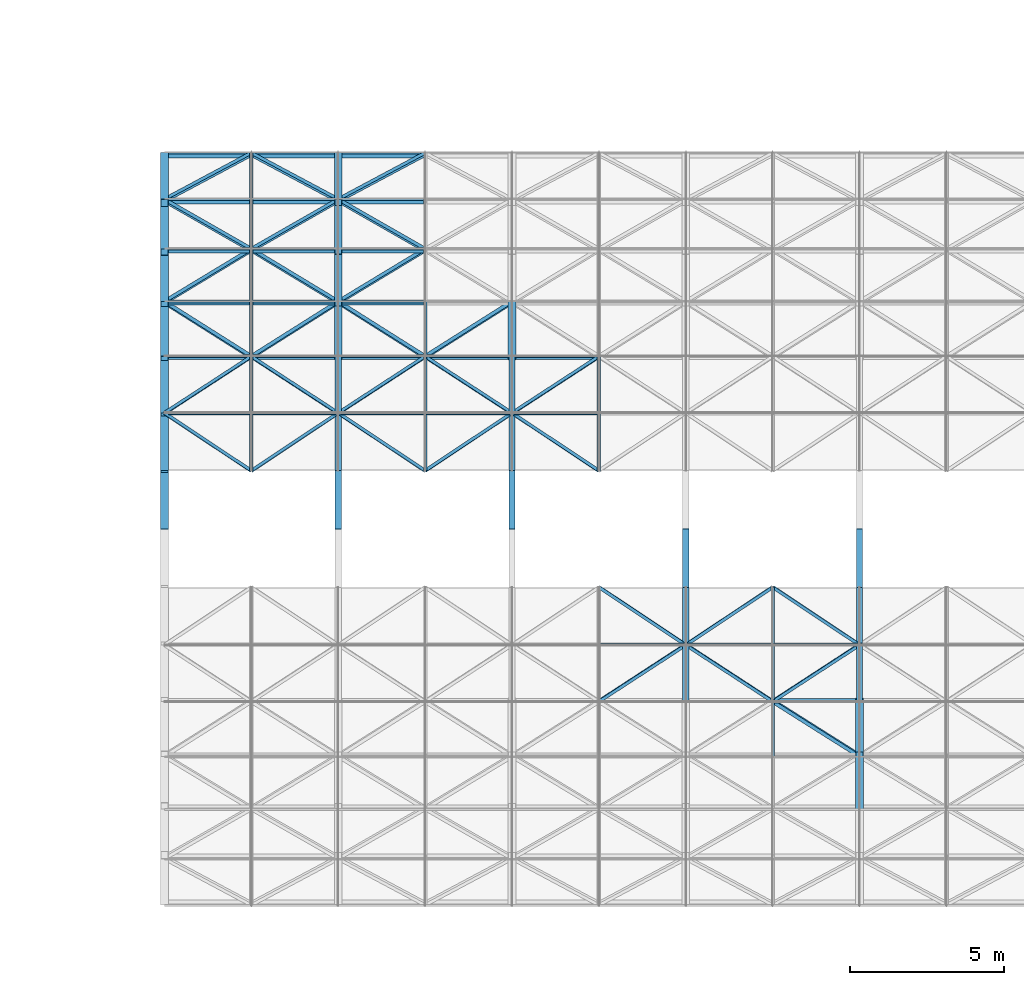
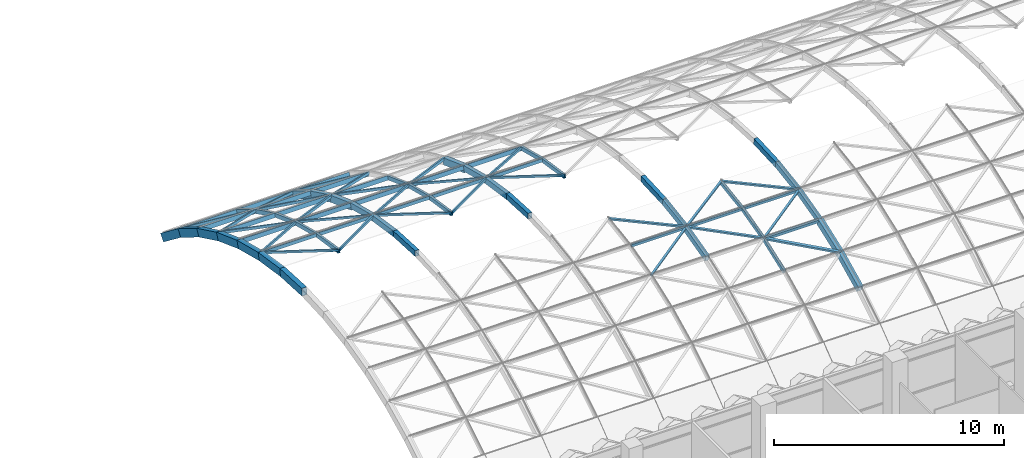
# One storey, part 12 of 85: 96 members.
"""IFC4 building model written with IfcOpenShell, lengths in metres."""

from ifc_helpers import new_model, si_unit, direction, frame, origin, origin_2d, place, context, subcontext, project, spatial, hollow_rectangle, extrude, material, material_profile, profile_set, type_object, element, save


model = new_model("IFC4")

# Units and contexts
model_context = context("Model", 3, precision=1e-05, world=origin(), true_north=direction((0.0, 1.0)))
body_context = subcontext(model_context, "Body", "Model", "MODEL_VIEW")
ifc_project = project(units=[si_unit("LENGTHUNIT", "METRE"), si_unit("AREAUNIT", "SQUARE_METRE"), si_unit("VOLUMEUNIT", "CUBIC_METRE"), si_unit("PLANEANGLEUNIT", "RADIAN"), si_unit("MASSUNIT", "GRAM", prefix="KILO")], contexts=[model_context])

# Site, building, storey
site_placement = place(None, origin())
site = spatial("IfcSite", under=ifc_project, at=site_placement, CompositionType="ELEMENT")
building_placement = place(site_placement, origin())
building = spatial("IfcBuilding", under=site, at=building_placement, Name="Lantern Court Research Institute", CompositionType="ELEMENT")
storey_placement = place(building_placement, frame((0.0, 0.0, 18.89990234375)))
storey = spatial("IfcBuildingStorey", under=building, at=storey_placement, Name="L04", CompositionType="ELEMENT", Elevation=18.89990234375)

# Members
ifc_material_1 = material(Name="Structural steel S355", Category="steel")
ifc_material_profile_1 = material_profile(ifc_material_1, hollow_rectangle(XDim=0.25, YDim=0.39990234375, WallThickness=0.01611328125, at=origin_2d()), Name="Gable arch RHS 400 x 250 x 16")
ifc_profile_set_1 = profile_set([ifc_material_profile_1], Name="Structural steel S355")
member_type_1 = type_object("IfcMemberType", Name="Gable arch RHS 400 x 250 x 16", PredefinedType="RAFTER", material=ifc_profile_set_1)
member_1_placement = place(storey_placement, frame((39.60009765625, 40.114990234375, 4.500244140625), z_axis=(0.0, 0.998733707136, -0.050308868311), x_axis=(-1.0, 0.0, 0.0)))
element("IfcMember", 1, at=member_1_placement, inside=storey, type_object=member_type_1, Name="Gable arch", PredefinedType="RAFTER", context=body_context, shape_type="SweptSolid", body=[
    extrude(hollow_rectangle(XDim=0.25, YDim=0.39990234375, WallThickness=0.01611328125, at=origin_2d()), origin(), (0.0, 0.0, 1.0), 1.90234375),
])
for number, where, z_axis, x_axis, name in (
    (2, (39.60009765625, 41.994873046875, 4.40673828125), (0.0, 0.988606386846, -0.150523791767), (-1.0, 0.0, 0.0), "Gable arch"),
    (3, (39.60009765625, 43.85595703125, 4.124267578125), (0.0, 0.968482319701, -0.249082308538), (-1.0, 0.0, 0.0), "Gable arch"),
    (4, (39.60009765625, 45.67919921875, 3.656494140625), (0.0, 0.938535764551, -0.345182008018), (-1.0, 0.0, 0.0), "Gable arch"),
):
    element("IfcMember", number, at=place(storey_placement, frame(where, z_axis=z_axis, x_axis=x_axis)), inside=storey, type_object=member_type_1, Name=name, PredefinedType="RAFTER", context=body_context, shape_type="SweptSolid", body=[
        extrude(hollow_rectangle(XDim=0.25, YDim=0.39990234375, WallThickness=0.01611328125, at=origin_2d()), origin(), (0.0, 0.0, 1.0), 1.902587890625),
    ])
member_2_placement = place(storey_placement, frame((39.60009765625, 47.4462890625, 3.007568359375), z_axis=(0.0, 0.899099966644, -0.437743360865), x_axis=(-1.0, 0.0, 0.0)))
element("IfcMember", 5, at=member_2_placement, inside=storey, type_object=member_type_1, Name="Gable arch", PredefinedType="RAFTER", context=body_context, shape_type="SweptSolid", body=[
    extrude(hollow_rectangle(XDim=0.25, YDim=0.39990234375, WallThickness=0.01611328125, at=origin_2d()), origin(), (0.0, 0.0, 1.0), 1.90234375),
])
member_3_placement = place(storey_placement, frame((39.60009765625, 49.138916015625, 2.1845703125), z_axis=(0.0, 0.850497510265, -0.525979072809), x_axis=(-1.0, 0.0, 0.0)))
element("IfcMember", 6, at=member_3_placement, inside=storey, type_object=member_type_1, Name="Gable arch", PredefinedType="RAFTER", context=body_context, shape_type="SweptSolid", body=[
    extrude(hollow_rectangle(XDim=0.25, YDim=0.39990234375, WallThickness=0.01611328125, at=origin_2d()), origin(), (0.0, 0.0, 1.0), 1.902587890625),
])
member_4_placement = place(storey_placement, frame((39.60009765625, 50.740478515625, 1.1953125), z_axis=(0.0, 0.793329505358, -0.608792490039), x_axis=(-1.0, 0.0, 0.0)))
element("IfcMember", 7, at=member_4_placement, inside=storey, type_object=member_type_1, Name="Gable arch", PredefinedType="RAFTER", context=body_context, shape_type="SweptSolid", body=[
    extrude(hollow_rectangle(XDim=0.25, YDim=0.39990234375, WallThickness=0.01611328125, at=origin_2d()), origin(), (0.0, 0.0, 1.0), 1.90234375),
])
ifc_material_2 = material(Name="Structural steel S355", Category="steel")
ifc_material_profile_2 = material_profile(ifc_material_2, hollow_rectangle(XDim=0.080078125, YDim=0.159912109375, WallThickness=0.00634765625, at=origin_2d()), Name="Gridshell crown purlin RHS 160 x 80 x 6.3")
ifc_profile_set_2 = profile_set([ifc_material_profile_2], Name="Structural steel S355")
member_type_2 = type_object("IfcMemberType", Name="Gridshell crown purlin RHS 160 x 80 x 6.3", PredefinedType="PURLIN", material=ifc_profile_set_2)
member_5_placement = place(storey_placement, frame((53.802978515625, 36.360107421875, 4.23974609375), z_axis=(1.0, 0.0, 0.0), x_axis=(0.0, 0.979787176632, 0.200042716708)))
element("IfcMember", 8, at=member_5_placement, inside=storey, type_object=member_type_2, Name="Gridshell purlin", PredefinedType="PURLIN", context=body_context, shape_type="SweptSolid", body=[
    extrude(hollow_rectangle(XDim=0.080078125, YDim=0.159912109375, WallThickness=0.00634765625, at=origin_2d()), origin(), (0.0, 0.0, 1.0), 2.66845703125),
])
for number, where, z_axis, x_axis, name in (
    (9, (56.67138671875, 36.360107421875, 4.23974609375), (1.0, 0.0, 0.0), (0.0, 0.979787176632, 0.200042716708), "Gridshell purlin"),
    (10, (59.4599609375, 36.360107421875, 4.23974609375), (1.0, 0.0, 0.0), (0.0, 0.979787176632, 0.200042716708), "Gridshell purlin"),
):
    element("IfcMember", number, at=place(storey_placement, frame(where, z_axis=z_axis, x_axis=x_axis)), inside=storey, type_object=member_type_2, Name=name, PredefinedType="PURLIN", context=body_context, shape_type="SweptSolid", body=[
        extrude(hollow_rectangle(XDim=0.080078125, YDim=0.159912109375, WallThickness=0.00634765625, at=origin_2d()), origin(), (0.0, 0.0, 1.0), 2.668701171875),
    ])
member_6_placement = place(storey_placement, frame((39.72509765625, 43.889892578125, 4.23974609375), z_axis=(1.0, 0.0, 0.0), x_axis=(0.0, 0.979787176632, -0.200042716708)))
element("IfcMember", 11, at=member_6_placement, inside=storey, type_object=member_type_2, Name="Gridshell purlin", PredefinedType="PURLIN", context=body_context, shape_type="SweptSolid", body=[
    extrude(hollow_rectangle(XDim=0.080078125, YDim=0.159912109375, WallThickness=0.00634765625, at=origin_2d()), origin(), (0.0, 0.0, 1.0), 2.6435546875),
])
member_7_placement = place(storey_placement, frame((42.488525390625, 43.889892578125, 4.23974609375), z_axis=(1.0, 0.0, 0.0), x_axis=(0.0, 0.979787176632, -0.200042716708)))
element("IfcMember", 12, at=member_7_placement, inside=storey, type_object=member_type_2, Name="Gridshell purlin", PredefinedType="PURLIN", context=body_context, shape_type="SweptSolid", body=[
    extrude(hollow_rectangle(XDim=0.080078125, YDim=0.159912109375, WallThickness=0.00634765625, at=origin_2d()), origin(), (0.0, 0.0, 1.0), 2.668701171875),
])
for number, where, z_axis, x_axis, name in (
    (13, (45.357177734375, 43.889892578125, 4.23974609375), (1.0, 0.0, 0.0), (0.0, 0.979787176632, -0.200042716708), "Gridshell purlin"),
    (14, (48.145751953125, 43.889892578125, 4.23974609375), (1.0, 0.0, 0.0), (0.0, 0.979787176632, -0.200042716708), "Gridshell purlin"),
    (15, (51.014404296875, 43.889892578125, 4.23974609375), (1.0, 0.0, 0.0), (0.0, 0.979787176632, -0.200042716708), "Gridshell purlin"),
):
    element("IfcMember", number, at=place(storey_placement, frame(where, z_axis=z_axis, x_axis=x_axis)), inside=storey, type_object=member_type_2, Name=name, PredefinedType="PURLIN", context=body_context, shape_type="SweptSolid", body=[
        extrude(hollow_rectangle(XDim=0.080078125, YDim=0.159912109375, WallThickness=0.00634765625, at=origin_2d()), origin(), (0.0, 0.0, 1.0), 2.66845703125),
    ])
ifc_material_3 = material(Name="Structural steel S355", Category="steel")
ifc_material_profile_3 = material_profile(ifc_material_3, hollow_rectangle(XDim=0.199951171875, YDim=0.300048828125, WallThickness=0.012451171875, at=origin_2d()), Name="Gridshell crown rib RHS 300 x 200 x 12.5")
ifc_profile_set_3 = profile_set([ifc_material_profile_3], Name="Structural steel S355")
member_type_3 = type_object("IfcMemberType", Name="Gridshell crown rib RHS 300 x 200 x 12.5", PredefinedType="RAFTER", material=ifc_profile_set_3)
for number, where, z_axis, x_axis, name in (
    (16, (45.257080078125, 40.117431640625, 4.55029296875), (0.0, 0.998734031897, -0.050302420725), (-1.0, 0.0, 0.0), "Gridshell rib"),
    (17, (45.257080078125, 42.00244140625, 4.4560546875), (0.0, 0.988606386846, -0.150523791767), (-1.0, 0.0, 0.0), "Gridshell rib"),
    (18, (45.257080078125, 43.868408203125, 4.1728515625), (0.0, 0.968482319701, -0.249082308538), (-1.0, 0.0, 0.0), "Gridshell rib"),
    (19, (50.914306640625, 40.117431640625, 4.55029296875), (0.0, 0.998734031897, -0.050302420725), (-1.0, 0.0, 0.0), "Gridshell rib"),
    (20, (50.914306640625, 42.00244140625, 4.4560546875), (0.0, 0.988606386846, -0.150523791767), (-1.0, 0.0, 0.0), "Gridshell rib"),
    (21, (50.914306640625, 43.868408203125, 4.1728515625), (0.0, 0.968482319701, -0.249082308538), (-1.0, 0.0, 0.0), "Gridshell rib"),
    (22, (56.571533203125, 34.5390625, 3.698974609375), (0.0, 0.968482319701, 0.249082308538), (-1.0, 0.0, 0.0), "Gridshell rib"),
    (23, (56.571533203125, 36.36669921875, 4.169677734375), (0.0, 0.988606386846, 0.150523791767), (-1.0, 0.0, 0.0), "Gridshell rib"),
    (24, (56.571533203125, 38.232421875, 4.45458984375), (0.0, 0.998734031897, 0.050302420725), (-1.0, 0.0, 0.0), "Gridshell rib"),
    (25, (62.228515625, 34.5390625, 3.698974609375), (0.0, 0.968482319701, 0.249082308538), (-1.0, 0.0, 0.0), "Gridshell rib"),
    (26, (62.228515625, 36.36669921875, 4.169677734375), (0.0, 0.988606386846, 0.150523791767), (-1.0, 0.0, 0.0), "Gridshell rib"),
    (27, (62.228515625, 38.232421875, 4.45458984375), (0.0, 0.998734031897, 0.050302420725), (-1.0, 0.0, 0.0), "Gridshell rib"),
):
    element("IfcMember", number, at=place(storey_placement, frame(where, z_axis=z_axis, x_axis=x_axis)), inside=storey, type_object=member_type_3, Name=name, PredefinedType="RAFTER", context=body_context, shape_type="SweptSolid", body=[
        extrude(hollow_rectangle(XDim=0.199951171875, YDim=0.300048828125, WallThickness=0.012451171875, at=origin_2d()), origin(), (0.0, 0.0, 1.0), 1.902587890625),
    ])
ifc_material_4 = material(Name="Structural steel S355", Category="steel")
ifc_material_profile_4 = material_profile(ifc_material_4, hollow_rectangle(XDim=0.10009765625, YDim=0.10009765625, WallThickness=0.00634765625, at=origin_2d()), Name="Gridshell diagonal RHS 100 x 100 x 6.3")
ifc_profile_set_4 = profile_set([ifc_material_profile_4], Name="Structural steel S355")
member_type_4 = type_object("IfcMemberType", Name="Gridshell diagonal RHS 100 x 100 x 6.3", PredefinedType="BRACE", material=ifc_profile_set_4)
for number, where, z_axis, x_axis, name in (
    (28, (42.428466796875, 42.017578125, 4.554931640625), (-0.829780025572, 0.551730300991, -0.084016570565), (-0.558090591389, -0.820331795055, 0.124862475647), "Gridshell diagonal"),
    (29, (39.60009765625, 43.893310546875, 4.26953125), (0.829753310349, 0.540539338213, -0.139020386309), (-0.558130310777, 0.803595810166, -0.20669864556), "Gridshell diagonal"),
    (30, (42.428466796875, 42.017578125, 4.554931640625), (0.82980233239, 0.551697511341, -0.084011577412), (-0.558057423637, 0.82035435083, -0.124862528398), "Gridshell diagonal"),
):
    element("IfcMember", number, at=place(storey_placement, frame(where, z_axis=z_axis, x_axis=x_axis)), inside=storey, type_object=member_type_4, Name=name, PredefinedType="BRACE", context=body_context, shape_type="SweptSolid", body=[
        extrude(hollow_rectangle(XDim=0.10009765625, YDim=0.10009765625, WallThickness=0.00634765625, at=origin_2d()), origin(), (0.0, 0.0, 1.0), 3.40869140625),
    ])
member_8_placement = place(storey_placement, frame((45.257080078125, 43.893310546875, 4.26953125), z_axis=(-0.829775619624, 0.540507215717, -0.139012124779), x_axis=(-0.558097142967, -0.803618783295, 0.206698887629)))
element("IfcMember", 31, at=member_8_placement, inside=storey, type_object=member_type_4, Name="Gridshell diagonal", PredefinedType="BRACE", context=body_context, shape_type="SweptSolid", body=[
    extrude(hollow_rectangle(XDim=0.10009765625, YDim=0.10009765625, WallThickness=0.00634765625, at=origin_2d()), origin(), (0.0, 0.0, 1.0), 3.408935546875),
])
member_9_placement = place(storey_placement, frame((48.085693359375, 42.017578125, 4.554931640625), z_axis=(-0.82980233239, 0.551697511341, -0.084011577412), x_axis=(-0.558057423637, -0.82035435083, 0.124862528398)))
element("IfcMember", 32, at=member_9_placement, inside=storey, type_object=member_type_4, Name="Gridshell diagonal", PredefinedType="BRACE", context=body_context, shape_type="SweptSolid", body=[
    extrude(hollow_rectangle(XDim=0.10009765625, YDim=0.10009765625, WallThickness=0.00634765625, at=origin_2d()), origin(), (0.0, 0.0, 1.0), 3.40869140625),
])
member_10_placement = place(storey_placement, frame((45.257080078125, 43.893310546875, 4.26953125), z_axis=(0.829775619624, 0.540507215717, -0.139012124779), x_axis=(-0.558097142967, 0.803618783295, -0.206698887629)))
element("IfcMember", 33, at=member_10_placement, inside=storey, type_object=member_type_4, Name="Gridshell diagonal", PredefinedType="BRACE", context=body_context, shape_type="SweptSolid", body=[
    extrude(hollow_rectangle(XDim=0.10009765625, YDim=0.10009765625, WallThickness=0.00634765625, at=origin_2d()), origin(), (0.0, 0.0, 1.0), 3.408935546875),
])
member_11_placement = place(storey_placement, frame((48.085693359375, 42.017578125, 4.554931640625), z_axis=(0.82980233239, 0.551697511341, -0.084011577412), x_axis=(-0.558057423637, 0.82035435083, -0.124862528398)))
element("IfcMember", 34, at=member_11_placement, inside=storey, type_object=member_type_4, Name="Gridshell diagonal", PredefinedType="BRACE", context=body_context, shape_type="SweptSolid", body=[
    extrude(hollow_rectangle(XDim=0.10009765625, YDim=0.10009765625, WallThickness=0.00634765625, at=origin_2d()), origin(), (0.0, 0.0, 1.0), 3.40869140625),
])
member_12_placement = place(storey_placement, frame((50.914306640625, 43.893310546875, 4.26953125), z_axis=(-0.829775619624, 0.540507215717, -0.139012124779), x_axis=(-0.558097142967, -0.803618783295, 0.206698887629)))
element("IfcMember", 35, at=member_12_placement, inside=storey, type_object=member_type_4, Name="Gridshell diagonal", PredefinedType="BRACE", context=body_context, shape_type="SweptSolid", body=[
    extrude(hollow_rectangle(XDim=0.10009765625, YDim=0.10009765625, WallThickness=0.00634765625, at=origin_2d()), origin(), (0.0, 0.0, 1.0), 3.408935546875),
])
member_13_placement = place(storey_placement, frame((53.742919921875, 42.017578125, 4.554931640625), z_axis=(-0.82980233239, 0.551697511341, -0.084011577412), x_axis=(-0.558057423637, -0.82035435083, 0.124862528398)))
element("IfcMember", 36, at=member_13_placement, inside=storey, type_object=member_type_4, Name="Gridshell diagonal", PredefinedType="BRACE", context=body_context, shape_type="SweptSolid", body=[
    extrude(hollow_rectangle(XDim=0.10009765625, YDim=0.10009765625, WallThickness=0.00634765625, at=origin_2d()), origin(), (0.0, 0.0, 1.0), 3.40869140625),
])
for number, where, z_axis, x_axis, name in (
    (37, (50.914306640625, 43.893310546875, 4.26953125), (0.829775619624, 0.540507215717, -0.139012124779), (-0.558097142967, 0.803618783295, -0.206698887629), "Gridshell diagonal"),
    (38, (53.742919921875, 34.51416015625, 3.795654296875), (0.829775619624, 0.540507215717, 0.139012124779), (-0.558097142967, 0.803618783295, 0.206698887629), "Gridshell diagonal"),
):
    element("IfcMember", number, at=place(storey_placement, frame(where, z_axis=z_axis, x_axis=x_axis)), inside=storey, type_object=member_type_4, Name=name, PredefinedType="BRACE", context=body_context, shape_type="SweptSolid", body=[
        extrude(hollow_rectangle(XDim=0.10009765625, YDim=0.10009765625, WallThickness=0.00634765625, at=origin_2d()), origin(), (0.0, 0.0, 1.0), 3.408935546875),
    ])
for number, where, z_axis, x_axis, name in (
    (39, (56.571533203125, 36.351806640625, 4.2685546875), (-0.82980233239, 0.551697511341, 0.084011577412), (-0.558057423637, -0.82035435083, -0.124862528398), "Gridshell diagonal"),
    (40, (59.39990234375, 34.51416015625, 3.795654296875), (-0.829753310349, 0.540539338213, 0.139020386309), (-0.558130310777, -0.803595810166, -0.20669864556), "Gridshell diagonal"),
    (41, (56.571533203125, 36.351806640625, 4.2685546875), (0.829780025572, 0.551730300991, 0.084016570565), (-0.558090591389, 0.820331795055, 0.124862475647), "Gridshell diagonal"),
):
    element("IfcMember", number, at=place(storey_placement, frame(where, z_axis=z_axis, x_axis=x_axis)), inside=storey, type_object=member_type_4, Name=name, PredefinedType="BRACE", context=body_context, shape_type="SweptSolid", body=[
        extrude(hollow_rectangle(XDim=0.10009765625, YDim=0.10009765625, WallThickness=0.00634765625, at=origin_2d()), origin(), (0.0, 0.0, 1.0), 3.40869140625),
    ])
member_14_placement = place(storey_placement, frame((59.39990234375, 34.51416015625, 3.795654296875), z_axis=(0.829775619624, 0.540507215717, 0.139012124779), x_axis=(-0.558097142967, 0.803618783295, 0.206698887629)))
element("IfcMember", 42, at=member_14_placement, inside=storey, type_object=member_type_4, Name="Gridshell diagonal", PredefinedType="BRACE", context=body_context, shape_type="SweptSolid", body=[
    extrude(hollow_rectangle(XDim=0.10009765625, YDim=0.10009765625, WallThickness=0.00634765625, at=origin_2d()), origin(), (0.0, 0.0, 1.0), 3.408935546875),
])
member_15_placement = place(storey_placement, frame((62.228515625, 36.351806640625, 4.2685546875), z_axis=(-0.82980233239, 0.551697511341, 0.084011577412), x_axis=(-0.558057423637, -0.82035435083, -0.124862528398)))
element("IfcMember", 43, at=member_15_placement, inside=storey, type_object=member_type_4, Name="Gridshell diagonal", PredefinedType="BRACE", context=body_context, shape_type="SweptSolid", body=[
    extrude(hollow_rectangle(XDim=0.10009765625, YDim=0.10009765625, WallThickness=0.00634765625, at=origin_2d()), origin(), (0.0, 0.0, 1.0), 3.40869140625),
])
ifc_material_5 = material(Name="Structural steel S355", Category="steel")
ifc_material_profile_5 = material_profile(ifc_material_5, hollow_rectangle(XDim=0.1201171875, YDim=0.1201171875, WallThickness=0.008056640625, at=origin_2d()), Name="Gridshell haunch diagonal RHS 120 x 120 x 8")
ifc_profile_set_5 = profile_set([ifc_material_profile_5], Name="Structural steel S355")
member_type_5 = type_object("IfcMemberType", Name="Gridshell haunch diagonal RHS 120 x 120 x 8", PredefinedType="BRACE", material=ifc_profile_set_5)
for number, where, z_axis, x_axis, name in (
    (44, (42.428466796875, 45.7275390625, 3.787841796875), (-0.829740528308, 0.523843092278, -0.19266310066), (-0.558149312823, -0.778730842923, 0.28643955536), "Gridshell diagonal"),
    (45, (39.60009765625, 47.507568359375, 3.133544921875), (0.829750990554, 0.50178985238, -0.244377244693), (-0.558133759376, 0.746001196046, -0.363275270481), "Gridshell diagonal"),
    (46, (42.428466796875, 49.212646484375, 2.303466796875), (-0.829754804392, 0.474718588132, -0.293511885058), (-0.55812808698, -0.705699457062, 0.436441651113), "Gridshell diagonal"),
    (47, (39.60009765625, 50.82568359375, 1.306396484375), (0.829757630752, 0.442776147891, -0.339781631445), (-0.558123887656, 0.658254466927, -0.505172032874), "Gridshell diagonal"),
):
    element("IfcMember", number, at=place(storey_placement, frame(where, z_axis=z_axis, x_axis=x_axis)), inside=storey, type_object=member_type_5, Name=name, PredefinedType="BRACE", context=body_context, shape_type="SweptSolid", body=[
        extrude(hollow_rectangle(XDim=0.1201171875, YDim=0.1201171875, WallThickness=0.008056640625, at=origin_2d()), origin(), (0.0, 0.0, 1.0), 3.40869140625),
    ])
for number, where, z_axis, x_axis, name in (
    (48, (42.428466796875, 45.7275390625, 3.787841796875), (0.829762838758, 0.523811962945, -0.192651651671), (-0.558116144955, 0.778754373318, -0.286440211525), "Gridshell diagonal"),
    (49, (45.257080078125, 47.507568359375, 3.133544921875), (-0.829773300042, 0.501760032806, -0.244362722229), (-0.558100591295, -0.746025342522, 0.363276641571), "Gridshell diagonal"),
    (50, (42.428466796875, 49.212646484375, 2.303466796875), (0.82977711353, 0.474690377048, -0.293494442538), (-0.558094919699, 0.705724175305, -0.436444096072), "Gridshell diagonal"),
    (51, (45.257080078125, 50.82568359375, 1.306396484375), (-0.82977993963, 0.442749834869, -0.339761439117), (-0.558090719968, -0.658279580966, 0.505175951099), "Gridshell diagonal"),
    (52, (48.085693359375, 45.7275390625, 3.787841796875), (-0.829762838758, 0.523811962945, -0.192651651671), (-0.558116144955, -0.778754373318, 0.286440211525), "Gridshell diagonal"),
    (53, (45.257080078125, 47.507568359375, 3.133544921875), (0.829773300042, 0.501760032806, -0.244362722229), (-0.558100591295, 0.746025342522, -0.363276641571), "Gridshell diagonal"),
    (54, (48.085693359375, 49.212646484375, 2.303466796875), (-0.82977711353, 0.474690377048, -0.293494442538), (-0.558094919699, -0.705724175305, 0.436444096072), "Gridshell diagonal"),
    (55, (45.257080078125, 50.82568359375, 1.306396484375), (0.82977993963, 0.442749834869, -0.339761439117), (-0.558090719968, 0.658279580966, -0.505175951099), "Gridshell diagonal"),
    (56, (48.085693359375, 45.7275390625, 3.787841796875), (0.829762838758, 0.523811962945, -0.192651651671), (-0.558116144955, 0.778754373318, -0.286440211525), "Gridshell diagonal"),
    (57, (62.228515625, 32.73681640625, 3.131103515625), (-0.829762838758, 0.523811962945, 0.192651651671), (-0.558116144955, -0.778754373318, -0.286440211525), "Gridshell diagonal"),
):
    element("IfcMember", number, at=place(storey_placement, frame(where, z_axis=z_axis, x_axis=x_axis)), inside=storey, type_object=member_type_5, Name=name, PredefinedType="BRACE", context=body_context, shape_type="SweptSolid", body=[
        extrude(hollow_rectangle(XDim=0.1201171875, YDim=0.1201171875, WallThickness=0.008056640625, at=origin_2d()), origin(), (0.0, 0.0, 1.0), 3.408935546875),
    ])
ifc_material_6 = material(Name="Structural steel S355", Category="steel")
ifc_material_profile_6 = material_profile(ifc_material_6, hollow_rectangle(XDim=0.25, YDim=0.35009765625, WallThickness=0.01611328125, at=origin_2d()), Name="Gridshell haunch rib RHS 350 x 250 x 16")
ifc_profile_set_6 = profile_set([ifc_material_profile_6], Name="Structural steel S355")
member_type_6 = type_object("IfcMemberType", Name="Gridshell haunch rib RHS 350 x 250 x 16", PredefinedType="RAFTER", material=ifc_profile_set_6)
for number, where, z_axis, x_axis, name in (
    (58, (45.257080078125, 45.68798828125, 3.679931640625), (0.0, 0.938520472327, -0.345223584105), (-1.0, 0.0, 0.0), "Gridshell rib"),
    (59, (45.257080078125, 47.457275390625, 3.030029296875), (0.0, 0.899099966644, -0.437743360865), (-1.0, 0.0, 0.0), "Gridshell rib"),
):
    element("IfcMember", number, at=place(storey_placement, frame(where, z_axis=z_axis, x_axis=x_axis)), inside=storey, type_object=member_type_6, Name=name, PredefinedType="RAFTER", context=body_context, shape_type="SweptSolid", body=[
        extrude(hollow_rectangle(XDim=0.25, YDim=0.35009765625, WallThickness=0.01611328125, at=origin_2d()), origin(), (0.0, 0.0, 1.0), 1.90234375),
    ])
member_16_placement = place(storey_placement, frame((45.257080078125, 49.152099609375, 2.205810546875), z_axis=(0.0, 0.850497510265, -0.525979072809), x_axis=(-1.0, 0.0, 0.0)))
element("IfcMember", 60, at=member_16_placement, inside=storey, type_object=member_type_6, Name="Gridshell rib", PredefinedType="RAFTER", context=body_context, shape_type="SweptSolid", body=[
    extrude(hollow_rectangle(XDim=0.25, YDim=0.35009765625, WallThickness=0.01611328125, at=origin_2d()), origin(), (0.0, 0.0, 1.0), 1.902587890625),
])
for number, where, z_axis, x_axis, name in (
    (61, (45.257080078125, 50.755615234375, 1.215087890625), (0.0, 0.793329505358, -0.608792490039), (-1.0, 0.0, 0.0), "Gridshell rib"),
    (62, (50.914306640625, 45.68798828125, 3.679931640625), (0.0, 0.938520472327, -0.345223584105), (-1.0, 0.0, 0.0), "Gridshell rib"),
    (63, (62.228515625, 31.082275390625, 2.197265625), (0.0, 0.899099966644, 0.437743360865), (-1.0, 0.0, 0.0), "Gridshell rib"),
    (64, (62.228515625, 32.776611328125, 3.023193359375), (0.0, 0.938520472327, 0.345223584105), (-1.0, 0.0, 0.0), "Gridshell rib"),
):
    element("IfcMember", number, at=place(storey_placement, frame(where, z_axis=z_axis, x_axis=x_axis)), inside=storey, type_object=member_type_6, Name=name, PredefinedType="RAFTER", context=body_context, shape_type="SweptSolid", body=[
        extrude(hollow_rectangle(XDim=0.25, YDim=0.35009765625, WallThickness=0.01611328125, at=origin_2d()), origin(), (0.0, 0.0, 1.0), 1.90234375),
    ])
ifc_material_7 = material(Name="Structural steel S355", Category="steel")
ifc_material_profile_7 = material_profile(ifc_material_7, hollow_rectangle(XDim=0.10009765625, YDim=0.199951171875, WallThickness=0.008056640625, at=origin_2d()), Name="Gridshell purlin RHS 200 x 100 x 8")
ifc_profile_set_7 = profile_set([ifc_material_profile_7], Name="Structural steel S355")
member_type_7 = type_object("IfcMemberType", Name="Gridshell purlin RHS 200 x 100 x 8", PredefinedType="PURLIN", material=ifc_profile_set_7)
for number, where, z_axis, x_axis, name in (
    (65, (59.4599609375, 34.531494140625, 3.748779296875), (1.0, 0.0, 0.0), (0.0, 0.954713115517, 0.29752792652), "Gridshell purlin"),
    (66, (39.72509765625, 45.718505859375, 3.748779296875), (1.0, 0.0, 0.0), (0.0, 0.954713115517, -0.29752792652), "Gridshell purlin"),
    (67, (42.488525390625, 45.718505859375, 3.748779296875), (1.0, 0.0, 0.0), (0.0, 0.954713115517, -0.29752792652), "Gridshell purlin"),
    (68, (45.382080078125, 45.718505859375, 3.748779296875), (1.0, 0.0, 0.0), (0.0, 0.954713115517, -0.29752792652), "Gridshell purlin"),
    (69, (48.145751953125, 45.718505859375, 3.748779296875), (1.0, 0.0, 0.0), (0.0, 0.954713115517, -0.29752792652), "Gridshell purlin"),
    (70, (51.039306640625, 45.718505859375, 3.748779296875), (1.0, 0.0, 0.0), (0.0, 0.954713115517, -0.29752792652), "Gridshell purlin"),
    (71, (39.72509765625, 47.49462890625, 3.095458984375), (1.0, 0.0, 0.0), (0.0, 0.919965822984, -0.391998577219), "Gridshell purlin"),
    (72, (42.488525390625, 47.49462890625, 3.095458984375), (1.0, 0.0, 0.0), (0.0, 0.919965822984, -0.391998577219), "Gridshell purlin"),
    (73, (45.382080078125, 47.49462890625, 3.095458984375), (1.0, 0.0, 0.0), (0.0, 0.919965822984, -0.391998577219), "Gridshell purlin"),
    (74, (39.72509765625, 49.196044921875, 2.266845703125), (1.0, 0.0, 0.0), (0.0, 0.875897373228, -0.482497452399), "Gridshell purlin"),
    (75, (42.488525390625, 49.196044921875, 2.266845703125), (1.0, 0.0, 0.0), (0.0, 0.875897373228, -0.482497452399), "Gridshell purlin"),
    (76, (45.382080078125, 49.196044921875, 2.266845703125), (1.0, 0.0, 0.0), (0.0, 0.875897373228, -0.482497452399), "Gridshell purlin"),
    (77, (39.72509765625, 50.805419921875, 1.271728515625), (1.0, 0.0, 0.0), (0.0, 0.822954255966, -0.568107641726), "Gridshell purlin"),
    (78, (42.488525390625, 50.805419921875, 1.271728515625), (1.0, 0.0, 0.0), (0.0, 0.822954255966, -0.568107641726), "Gridshell purlin"),
    (79, (45.382080078125, 50.805419921875, 1.271728515625), (1.0, 0.0, 0.0), (0.0, 0.822954255966, -0.568107641726), "Gridshell purlin"),
    (80, (39.72509765625, 52.306640625, 0.11962890625), (1.0, 0.0, 0.0), (0.0, 0.761672913152, -0.647961706717), "Gridshell purlin"),
    (81, (42.488525390625, 52.306640625, 0.11962890625), (1.0, 0.0, 0.0), (0.0, 0.761672913152, -0.647961706717), "Gridshell purlin"),
    (82, (45.382080078125, 52.306640625, 0.11962890625), (1.0, 0.0, 0.0), (0.0, 0.761672913152, -0.647961706717), "Gridshell purlin"),
):
    element("IfcMember", number, at=place(storey_placement, frame(where, z_axis=z_axis, x_axis=x_axis)), inside=storey, type_object=member_type_7, Name=name, PredefinedType="PURLIN", context=body_context, shape_type="SweptSolid", body=[
        extrude(hollow_rectangle(XDim=0.10009765625, YDim=0.199951171875, WallThickness=0.008056640625, at=origin_2d()), origin(), (0.0, 0.0, 1.0), 2.6435546875),
    ])
ifc_material_8 = material(Name="Structural steel S355", Category="steel")
ifc_material_profile_8 = material_profile(ifc_material_8, hollow_rectangle(XDim=0.1201171875, YDim=0.199951171875, WallThickness=0.008056640625, at=origin_2d()), Name="Gridshell secondary rib RHS 200 x 120 x 8")
ifc_profile_set_8 = profile_set([ifc_material_profile_8], Name="Structural steel S355")
member_type_8 = type_object("IfcMemberType", Name="Gridshell secondary rib RHS 200 x 120 x 8", PredefinedType="RAFTER", material=ifc_profile_set_8)
for number, where, z_axis, x_axis, name in (
    (83, (42.428466796875, 42.010009765625, 4.50537109375), (0.0, 0.988625474964, -0.15039837184), (-1.0, 0.0, 0.0), "Gridshell secondary rib"),
    (84, (42.428466796875, 43.880859375, 4.22119140625), (0.0, 0.968482319701, -0.249082308538), (-1.0, 0.0, 0.0), "Gridshell secondary rib"),
):
    element("IfcMember", number, at=place(storey_placement, frame(where, z_axis=z_axis, x_axis=x_axis)), inside=storey, type_object=member_type_8, Name=name, PredefinedType="RAFTER", context=body_context, shape_type="SweptSolid", body=[
        extrude(hollow_rectangle(XDim=0.1201171875, YDim=0.199951171875, WallThickness=0.008056640625, at=origin_2d()), origin(), (0.0, 0.0, 1.0), 1.902587890625),
    ])
member_17_placement = place(storey_placement, frame((42.428466796875, 45.7138671875, 3.750244140625), z_axis=(0.0, 0.938520472327, -0.345223584105), x_axis=(-1.0, 0.0, 0.0)))
element("IfcMember", 85, at=member_17_placement, inside=storey, type_object=member_type_8, Name="Gridshell secondary rib", PredefinedType="RAFTER", context=body_context, shape_type="SweptSolid", body=[
    extrude(hollow_rectangle(XDim=0.1201171875, YDim=0.199951171875, WallThickness=0.008056640625, at=origin_2d()), origin(), (0.0, 0.0, 1.0), 1.90234375),
])
member_18_placement = place(storey_placement, frame((42.428466796875, 47.489990234375, 3.09765625), z_axis=(0.0, 0.899049454889, -0.437847093931), x_axis=(-1.0, 0.0, 0.0)))
element("IfcMember", 86, at=member_18_placement, inside=storey, type_object=member_type_8, Name="Gridshell secondary rib", PredefinedType="RAFTER", context=body_context, shape_type="SweptSolid", body=[
    extrude(hollow_rectangle(XDim=0.1201171875, YDim=0.199951171875, WallThickness=0.008056640625, at=origin_2d()), origin(), (0.0, 0.0, 1.0), 1.902587890625),
])
for number, where, z_axis, x_axis, name in (
    (87, (42.428466796875, 49.191650390625, 2.26953125), (0.0, 0.850462004525, -0.526036480541), (-1.0, 0.0, 0.0), "Gridshell secondary rib"),
    (88, (42.428466796875, 50.80126953125, 1.274658203125), (0.0, 0.793329505358, -0.608792490039), (-1.0, 0.0, 0.0), "Gridshell secondary rib"),
):
    element("IfcMember", number, at=place(storey_placement, frame(where, z_axis=z_axis, x_axis=x_axis)), inside=storey, type_object=member_type_8, Name=name, PredefinedType="RAFTER", context=body_context, shape_type="SweptSolid", body=[
        extrude(hollow_rectangle(XDim=0.1201171875, YDim=0.199951171875, WallThickness=0.008056640625, at=origin_2d()), origin(), (0.0, 0.0, 1.0), 1.90234375),
    ])
for number, where, z_axis, x_axis, name in (
    (89, (48.085693359375, 42.010009765625, 4.50537109375), (0.0, 0.988625474964, -0.15039837184), (-1.0, 0.0, 0.0), "Gridshell secondary rib"),
    (90, (48.085693359375, 43.880859375, 4.22119140625), (0.0, 0.968482319701, -0.249082308538), (-1.0, 0.0, 0.0), "Gridshell secondary rib"),
):
    element("IfcMember", number, at=place(storey_placement, frame(where, z_axis=z_axis, x_axis=x_axis)), inside=storey, type_object=member_type_8, Name=name, PredefinedType="RAFTER", context=body_context, shape_type="SweptSolid", body=[
        extrude(hollow_rectangle(XDim=0.1201171875, YDim=0.199951171875, WallThickness=0.008056640625, at=origin_2d()), origin(), (0.0, 0.0, 1.0), 1.902587890625),
    ])
member_19_placement = place(storey_placement, frame((48.085693359375, 45.7138671875, 3.750244140625), z_axis=(0.0, 0.938520472327, -0.345223584105), x_axis=(-1.0, 0.0, 0.0)))
element("IfcMember", 91, at=member_19_placement, inside=storey, type_object=member_type_8, Name="Gridshell secondary rib", PredefinedType="RAFTER", context=body_context, shape_type="SweptSolid", body=[
    extrude(hollow_rectangle(XDim=0.1201171875, YDim=0.199951171875, WallThickness=0.008056640625, at=origin_2d()), origin(), (0.0, 0.0, 1.0), 1.90234375),
])
for number, where, z_axis, x_axis, name in (
    (92, (53.742919921875, 42.010009765625, 4.50537109375), (0.0, 0.988625474964, -0.15039837184), (-1.0, 0.0, 0.0), "Gridshell secondary rib"),
    (93, (53.742919921875, 43.880859375, 4.22119140625), (0.0, 0.968482319701, -0.249082308538), (-1.0, 0.0, 0.0), "Gridshell secondary rib"),
):
    element("IfcMember", number, at=place(storey_placement, frame(where, z_axis=z_axis, x_axis=x_axis)), inside=storey, type_object=member_type_8, Name=name, PredefinedType="RAFTER", context=body_context, shape_type="SweptSolid", body=[
        extrude(hollow_rectangle(XDim=0.1201171875, YDim=0.199951171875, WallThickness=0.008056640625, at=origin_2d()), origin(), (0.0, 0.0, 1.0), 1.902587890625),
    ])
member_20_placement = place(storey_placement, frame((59.39990234375, 32.750732421875, 3.093505859375), z_axis=(0.0, 0.938520472327, 0.345223584105), x_axis=(-1.0, 0.0, 0.0)))
element("IfcMember", 94, at=member_20_placement, inside=storey, type_object=member_type_8, Name="Gridshell secondary rib", PredefinedType="RAFTER", context=body_context, shape_type="SweptSolid", body=[
    extrude(hollow_rectangle(XDim=0.1201171875, YDim=0.199951171875, WallThickness=0.008056640625, at=origin_2d()), origin(), (0.0, 0.0, 1.0), 1.90234375),
])
for number, where, z_axis, x_axis, name in (
    (95, (59.39990234375, 34.526611328125, 3.747314453125), (0.0, 0.968482319701, 0.249082308538), (-1.0, 0.0, 0.0), "Gridshell secondary rib"),
    (96, (59.39990234375, 36.359130859375, 4.21923828125), (0.0, 0.988625474964, 0.15039837184), (-1.0, 0.0, 0.0), "Gridshell secondary rib"),
):
    element("IfcMember", number, at=place(storey_placement, frame(where, z_axis=z_axis, x_axis=x_axis)), inside=storey, type_object=member_type_8, Name=name, PredefinedType="RAFTER", context=body_context, shape_type="SweptSolid", body=[
        extrude(hollow_rectangle(XDim=0.1201171875, YDim=0.199951171875, WallThickness=0.008056640625, at=origin_2d()), origin(), (0.0, 0.0, 1.0), 1.902587890625),
    ])

save(model, "model.ifc")
